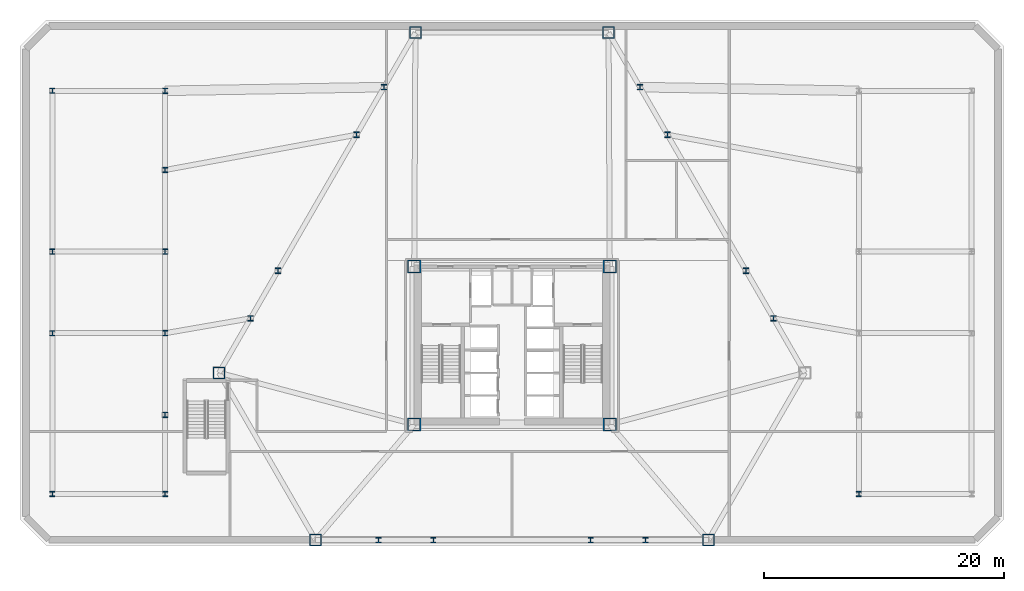
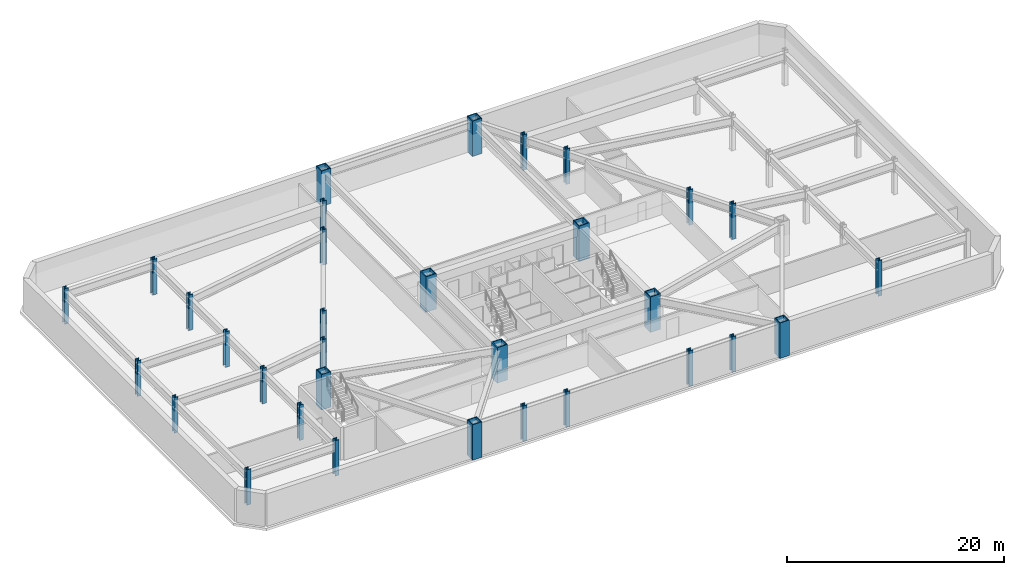
# One storey, part 1 of 10: 32 columns.
"""IFC4 building model written with IfcOpenShell, lengths in metres."""

import ifcopenshell
import ifcopenshell.guid

model = None  # the IFC model being written
_history = None  # IfcOwnerHistory: only IFC2X3 demands one
_inside = {}  # id of a spatial element -> (the spatial element, [elements in it])
_under = {}  # id of a project, library or spatial element -> (it, [spatial elements below it])
_declared = {}  # id of a project -> (the project, [libraries it declares])
_typed = {}  # id of a type object -> (the type object, [elements of that type])
_made_of = {}  # id of a material, layer set ... -> (it, [elements and type objects made of it])


def new_model(schema):
    """Start an empty IFC model of exactly this schema.

    Asked for "IFC4X3", IfcOpenShell would pick the latest addendum, in which some entities
    have other attributes; the version numbers below select the first issue.
    IFC2X3 requires an IfcOwnerHistory on every rooted entity: one is made here for all.
    """
    global model, _history
    if schema == "IFC4X3":
        model = ifcopenshell.file(schema_version=(4, 3, 0, 0))
    else:
        model = ifcopenshell.file(schema=schema)
    _inside.clear()
    _under.clear()
    _declared.clear()
    _typed.clear()
    _made_of.clear()
    _history = None
    if model.schema == "IFC2X3":
        org = make("IfcOrganization", Name="unknown")
        user = make(
            "IfcPersonAndOrganization",
            ThePerson=make("IfcPerson", FamilyName="unknown"),
            TheOrganization=org,
        )
        app = make(
            "IfcApplication",
            ApplicationDeveloper=org,
            Version="unknown",
            ApplicationFullName="unknown",
            ApplicationIdentifier="unknown",
        )
        _history = make(
            "IfcOwnerHistory",
            OwningUser=user,
            OwningApplication=app,
            ChangeAction="ADDED",
            CreationDate=0,
        )
    return model


def make(cls, **values):
    """One entity of the class cls with the attributes given. An attribute that is None is left unset."""
    return model.create_entity(
        cls, **{name: value for name, value in values.items() if value is not None}
    )


def rooted(cls, **values):
    """An entity with a GlobalId (a new one), such as an element, a storey or a relation."""
    return make(cls, GlobalId=ifcopenshell.guid.new(), OwnerHistory=_history, **values)


def si_unit(unit_type, name, prefix=None):
    """IfcSIUnit, for example si_unit("LENGTHUNIT", "METRE", prefix="MILLI")."""
    return make("IfcSIUnit", UnitType=unit_type, Prefix=prefix, Name=name)


def assignment(units):
    """IfcUnitAssignment: the units of a project."""
    return None if units is None else make("IfcUnitAssignment", Units=units)


def point(xyz):
    """IfcCartesianPoint."""
    return None if xyz is None else make("IfcCartesianPoint", Coordinates=xyz)


def direction(xyz):
    """IfcDirection."""
    return None if xyz is None else make("IfcDirection", DirectionRatios=xyz)


def frame(location, z_axis=None, x_axis=None):
    """IfcAxis2Placement3D, a coordinate frame: its origin and axes. An axis left out is left unset."""
    return make(
        "IfcAxis2Placement3D",
        Location=point(location),
        Axis=direction(z_axis),
        RefDirection=direction(x_axis),
    )


def frame_2d(location, x_axis=None):
    """IfcAxis2Placement2D, a coordinate frame in the plane: its origin and x axis."""
    return make(
        "IfcAxis2Placement2D", Location=point(location), RefDirection=direction(x_axis)
    )


def origin():
    """The frame at (0, 0, 0) with its axes left unset."""
    return frame((0.0, 0.0, 0.0))


def origin_2d():
    """The frame at (0, 0) in the plane with its x axis left unset."""
    return frame_2d((0.0, 0.0))


def place(relative_to, where):
    """IfcLocalPlacement: puts the frame where relative to a parent placement (None: the world)."""
    return make(
        "IfcLocalPlacement", PlacementRelTo=relative_to, RelativePlacement=where
    )


def context(
    kind, dimensions, precision=None, world=None, true_north=None, identifier=None
):
    """IfcGeometricRepresentationContext, for example the 3D "Model" context."""
    return make(
        "IfcGeometricRepresentationContext",
        ContextIdentifier=identifier,
        ContextType=kind,
        CoordinateSpaceDimension=dimensions,
        Precision=precision,
        WorldCoordinateSystem=world,
        TrueNorth=true_north,
    )


def subcontext(parent, identifier, kind, view, scale=None):
    """IfcGeometricRepresentationSubContext, for example "Body" below "Model"."""
    return make(
        "IfcGeometricRepresentationSubContext",
        ContextIdentifier=identifier,
        ContextType=kind,
        ParentContext=parent,
        TargetScale=scale,
        TargetView=view,
    )


def project(units=None, contexts=None):
    """IfcProject with its units and contexts."""
    return rooted(
        "IfcProject",
        Name="project",
        RepresentationContexts=contexts,
        UnitsInContext=assignment(units),
    )


def spatial(cls, under=None, at=None, **own):
    """A site, building, storey or space (cls), placed at a placement, below another one or the project."""
    s = rooted(cls, ObjectPlacement=at, **own)
    if under is not None:
        _under.setdefault(under.id(), (under, []))[1].append(s)
    return s


def profile(cls, at=None, kind="AREA", **sizes):
    """A parametric profile (cls). Its sizes go by their IFC names, for example OverallWidth=200.0."""
    return make(cls, ProfileType=kind, Position=at, **sizes)


def hollow_rectangle(**sizes):
    """IfcRectangleHollowProfileDef."""
    return profile("IfcRectangleHollowProfileDef", **sizes)


def i_section(**sizes):
    """IfcIShapeProfileDef."""
    return profile("IfcIShapeProfileDef", **sizes)


def extrude(swept, where, along, depth):
    """IfcExtrudedAreaSolid: the profile swept, set in the frame where, extruded along a direction by depth."""
    return make(
        "IfcExtrudedAreaSolid",
        SweptArea=swept,
        Position=where,
        ExtrudedDirection=direction(along),
        Depth=depth,
    )


def shape(context_of_items, identifier, shape_type, items):
    """IfcShapeRepresentation: the items that make up one representation, for example the "Body"."""
    return make(
        "IfcShapeRepresentation",
        ContextOfItems=context_of_items,
        RepresentationIdentifier=identifier,
        RepresentationType=shape_type,
        Items=items,
    )


def material(Name=None, Category=None):
    """IfcMaterial."""
    return make("IfcMaterial", Name=Name, Category=Category)


def material_profile(
    of_material, cross_section, Name=None, Category=None, Priority=None
):
    """IfcMaterialProfile: a cross section and its material."""
    return make(
        "IfcMaterialProfile",
        Name=Name,
        Material=of_material,
        Profile=cross_section,
        Priority=Priority,
        Category=Category,
    )


def profile_set(profiles, Name=None, composite=None):
    """IfcMaterialProfileSet."""
    return make(
        "IfcMaterialProfileSet",
        Name=Name,
        MaterialProfiles=profiles,
        CompositeProfile=composite,
    )


def made_of(thing, what):
    """Note that an element or type object is made of a material, layer set ...; save() writes the relation."""
    if what is not None:
        _made_of.setdefault(what.id(), (what, []))[1].append(thing)
    return thing


def type_object(cls, material=None, **own):
    """A type object (cls), such as IfcWallType, which elements share."""
    return made_of(rooted(cls, **own), material)


def element(
    cls,
    number,
    at=None,
    inside=None,
    cuts=None,
    type_object=None,
    material=None,
    context=None,
    identifier="Body",
    shape_type=None,
    held_by="IfcProductDefinitionShape",
    body=None,
    shapes=None,
    **own,
):
    """One element of the class cls, such as IfcWall. Its Tag is "e" and its number.

    at: its placement. inside: the storey or other place that contains it. cuts: it is an
    opening in that element (IfcRelVoidsElement). A single representation is given by context,
    identifier, shape_type and body (its items); several are given by shapes. held_by: the class
    of the entity that holds the representations. save() writes the other relations.
    """
    e = rooted(cls, Tag="e%d" % number, ObjectPlacement=at, **own)
    if body is not None:
        shapes = [shape(context, identifier, shape_type, body)]
    if shapes is not None:
        e.Representation = make(held_by, Representations=shapes)
    if inside is not None:
        _inside.setdefault(inside.id(), (inside, []))[1].append(e)
    if cuts is not None:
        rooted(
            "IfcRelVoidsElement", RelatingBuildingElement=cuts, RelatedOpeningElement=e
        )
    if type_object is not None:
        _typed.setdefault(type_object.id(), (type_object, []))[1].append(e)
    return made_of(e, material)


def aggregate(whole, parts):
    """IfcRelAggregates: a whole, such as a stair, and the parts it consists of."""
    return rooted("IfcRelAggregates", RelatingObject=whole, RelatedObjects=parts)


def save(model, path):
    """Write the relations noted so far, then the file.

    IfcRelAggregates (storeys below a building ...), IfcRelContainedInSpatialStructure (elements
    in a storey), IfcRelDefinesByType, IfcRelAssociatesMaterial and IfcRelDeclares: one each for
    every whole, place, type object, material and project.
    """
    for whole, parts in _under.values():
        aggregate(whole, parts)
    for where, things in _inside.values():
        rooted(
            "IfcRelContainedInSpatialStructure",
            RelatedElements=things,
            RelatingStructure=where,
        )
    for kind, things in _typed.values():
        rooted("IfcRelDefinesByType", RelatedObjects=things, RelatingType=kind)
    for what, things in _made_of.values():
        rooted("IfcRelAssociatesMaterial", RelatedObjects=things, RelatingMaterial=what)
    for by, libraries in _declared.values():
        rooted("IfcRelDeclares", RelatingContext=by, RelatedDefinitions=libraries)
    model.write(path)


model = new_model("IFC4")

# Units and contexts
model_context = context("Model", 3, precision=1e-05, world=origin(), true_north=direction((0.0, 1.0)))
body_context = subcontext(model_context, "Body", "Model", "MODEL_VIEW")
ifc_project = project(units=[si_unit("LENGTHUNIT", "METRE"), si_unit("AREAUNIT", "SQUARE_METRE"), si_unit("VOLUMEUNIT", "CUBIC_METRE"), si_unit("PLANEANGLEUNIT", "RADIAN"), si_unit("MASSUNIT", "GRAM", prefix="KILO")], contexts=[model_context])

# Site, building, storey
site_placement = place(None, origin())
site = spatial("IfcSite", under=ifc_project, at=site_placement, CompositionType="ELEMENT")
building_placement = place(site_placement, origin())
building = spatial("IfcBuilding", under=site, at=building_placement, Name="Oramaril Tower", CompositionType="ELEMENT")
storey_placement = place(building_placement, frame((0.0, 0.0, -4.0)))
storey = spatial("IfcBuildingStorey", under=building, at=storey_placement, Name="B01", CompositionType="ELEMENT", Elevation=-4.0)

# Columns
ifc_material_1 = material(Name="Steel ASTM A572 Gr 50", Category="steel")
ifc_material_profile_1 = material_profile(ifc_material_1, hollow_rectangle(XDim=1.10009765625, YDim=1.10009765625, WallThickness=0.090087890625, at=origin_2d()), Name="BOX1100X1100X90")
ifc_profile_set_1 = profile_set([ifc_material_profile_1], Name="Steel ASTM A572 Gr 50")
column_type_1 = type_object("IfcColumnType", Name="CT-CC1", PredefinedType="COLUMN", material=ifc_profile_set_1)
for number, where, z_axis, x_axis, name in (
    (1, (29.35009765625, 11.0, 0.0), (0.0, 0.0, 1.0), (1.0, 0.0, 0.0), "B01 Core Column CC-1"),
    (2, (45.64990234375, 11.0, 0.0), (0.0, 0.0, 1.0), (1.0, 0.0, 0.0), "B01 Core Column CC-2"),
    (3, (45.64990234375, 24.14990234375, 0.0), (0.0, 0.0, 1.0), (1.0, 0.0, 0.0), "B01 Core Column CC-3"),
    (4, (29.35009765625, 24.14990234375, 0.0), (0.0, 0.0, 1.0), (1.0, 0.0, 0.0), "B01 Core Column CC-4"),
):
    element("IfcColumn", number, at=place(storey_placement, frame(where, z_axis=z_axis, x_axis=x_axis)), inside=storey, type_object=column_type_1, Name=name, PredefinedType="COLUMN", context=body_context, shape_type="SweptSolid", body=[
        extrude(hollow_rectangle(XDim=1.10009765625, YDim=1.10009765625, WallThickness=0.090087890625, at=origin_2d()), origin(), (0.0, 0.0, 1.0), 4.0),
    ])
ifc_material_2 = material(Name="Steel ASTM A572 Gr 50", Category="steel")
ifc_material_profile_2 = material_profile(ifc_material_2, hollow_rectangle(XDim=1.0, YDim=1.0, WallThickness=0.0849609375, at=origin_2d()), Name="BOX1000X1000X85")
ifc_profile_set_2 = profile_set([ifc_material_profile_2], Name="Steel ASTM A572 Gr 50")
column_type_2 = type_object("IfcColumnType", Name="CT-TC1", PredefinedType="COLUMN", material=ifc_profile_set_2)
for number, where, z_axis, x_axis, name in (
    (5, (13.089599609375, 15.300048828125, 0.00439453125), (0.0, 0.0, 1.0), (1.0, 0.0, 0.0), "B01 Tube Column TC-01"),
    (6, (21.137939453125, 1.360107421875, 0.00439453125), (0.0, 0.0, 1.0), (1.0, 0.0, 0.0), "B01 Tube Column TC-02"),
    (7, (53.862060546875, 1.360107421875, 0.00439453125), (0.0, 0.0, 1.0), (1.0, 0.0, 0.0), "B01 Tube Column TC-03"),
    (8, (45.548095703125, 43.639892578125, 0.00439453125), (0.0, 0.0, 1.0), (1.0, 0.0, 0.0), "B01 Tube Column TC-05"),
    (9, (29.451904296875, 43.639892578125, 0.00439453125), (0.0, 0.0, 1.0), (1.0, 0.0, 0.0), "B01 Tube Column TC-06"),
):
    element("IfcColumn", number, at=place(storey_placement, frame(where, z_axis=z_axis, x_axis=x_axis)), inside=storey, type_object=column_type_2, Name=name, PredefinedType="COLUMN", context=body_context, shape_type="SweptSolid", body=[
        extrude(hollow_rectangle(XDim=1.0, YDim=1.0, WallThickness=0.0849609375, at=origin_2d()), origin(), (0.0, 0.0, 1.0), 3.9912109375),
    ])
ifc_material_3 = material(Name="Steel ASTM A572 Gr 50", Category="steel")
ifc_material_profile_3 = material_profile(ifc_material_3, i_section(OverallWidth=0.422119140625, OverallDepth=0.465087890625, WebThickness=0.044921875, FlangeThickness=0.072021484375, at=origin_2d()), Name="W14X398")
ifc_profile_set_3 = profile_set([ifc_material_profile_3], Name="Steel ASTM A572 Gr 50")
column_type_3 = type_object("IfcColumnType", Name="CT-TF1", PredefinedType="COLUMN", material=ifc_profile_set_3)
for number, where, z_axis, x_axis, name in (
    (10, (26.373779296875, 1.360107421875, 0.00439453125), (0.0, 0.0, 1.0), (1.0, 0.0, 0.0), "B01 Tube Column TC-07"),
    (11, (30.955078125, 1.360107421875, 0.00439453125), (0.0, 0.0, 1.0), (1.0, 0.0, 0.0), "B01 Tube Column TC-08"),
    (12, (44.044921875, 1.360107421875, 0.00439453125), (0.0, 0.0, 1.0), (1.0, 0.0, 0.0), "B01 Tube Column TC-09"),
    (13, (48.626220703125, 1.360107421875, 0.00439453125), (0.0, 0.0, 1.0), (1.0, 0.0, 0.0), "B01 Tube Column TC-10"),
    (14, (59.29248046875, 19.83447265625, 0.00439453125), (0.0, 0.0, 1.0), (1.0, 0.0, 0.0), "B01 Tube Column TC-11"),
    (15, (57.001708984375, 23.802001953125, 0.00439453125), (0.0, 0.0, 1.0), (1.0, 0.0, 0.0), "B01 Tube Column TC-12"),
    (16, (50.456787109375, 35.137939453125, 0.00439453125), (0.0, 0.0, 1.0), (1.0, 0.0, 0.0), "B01 Tube Column TC-13"),
    (17, (48.166015625, 39.105712890625, 0.00439453125), (0.0, 0.0, 1.0), (1.0, 0.0, 0.0), "B01 Tube Column TC-14"),
    (18, (26.833984375, 39.105712890625, 0.00439453125), (0.0, 0.0, 1.0), (1.0, 0.0, 0.0), "B01 Tube Column TC-15"),
    (19, (24.543212890625, 35.137939453125, 0.00439453125), (0.0, 0.0, 1.0), (1.0, 0.0, 0.0), "B01 Tube Column TC-16"),
    (20, (17.998291015625, 23.802001953125, 0.00439453125), (0.0, 0.0, 1.0), (1.0, 0.0, 0.0), "B01 Tube Column TC-17"),
    (21, (15.70751953125, 19.83447265625, 0.00439453125), (0.0, 0.0, 1.0), (1.0, 0.0, 0.0), "B01 Tube Column TC-18"),
):
    element("IfcColumn", number, at=place(storey_placement, frame(where, z_axis=z_axis, x_axis=x_axis)), inside=storey, type_object=column_type_3, Name=name, PredefinedType="COLUMN", context=body_context, shape_type="SweptSolid", body=[
        extrude(i_section(OverallWidth=0.422119140625, OverallDepth=0.465087890625, WebThickness=0.044921875, FlangeThickness=0.072021484375, at=origin_2d()), origin(), (0.0, 0.0, 1.0), 3.9912109375),
    ])
for number, where, z_axis, x_axis, name in (
    (22, (8.60009765625, 5.199951171875, 0.0), (0.0, 0.0, 1.0), (1.0, 0.0, 0.0), "B01 Podium Column PCOL-01"),
    (23, (8.60009765625, 11.800048828125, 0.0), (0.0, 0.0, 1.0), (1.0, 0.0, 0.0), "B01 Podium Column PCOL-02"),
    (24, (8.60009765625, 18.60009765625, 0.0), (0.0, 0.0, 1.0), (1.0, 0.0, 0.0), "B01 Podium Column PCOL-03"),
    (25, (8.60009765625, 25.39990234375, 0.0), (0.0, 0.0, 1.0), (1.0, 0.0, 0.0), "B01 Podium Column PCOL-04"),
    (26, (8.60009765625, 32.199951171875, 0.0), (0.0, 0.0, 1.0), (1.0, 0.0, 0.0), "B01 Podium Column PCOL-05"),
    (27, (8.60009765625, 38.800048828125, 0.0), (0.0, 0.0, 1.0), (1.0, 0.0, 0.0), "B01 Podium Column PCOL-06"),
    (28, (66.39990234375, 5.199951171875, 0.0), (0.0, 0.0, 1.0), (1.0, 0.0, 0.0), "B01 Podium Column PCOL-07"),
):
    element("IfcColumn", number, at=place(storey_placement, frame(where, z_axis=z_axis, x_axis=x_axis)), inside=storey, type_object=column_type_3, Name=name, PredefinedType="COLUMN", context=body_context, shape_type="SweptSolid", body=[
        extrude(i_section(OverallWidth=0.422119140625, OverallDepth=0.465087890625, WebThickness=0.044921875, FlangeThickness=0.072021484375, at=origin_2d()), origin(), (0.0, 0.0, 1.0), 4.0),
    ])
ifc_material_4 = material(Name="Steel ASTM A572 Gr 50", Category="steel")
ifc_material_profile_4 = material_profile(ifc_material_4, i_section(OverallWidth=0.410888671875, OverallDepth=0.43408203125, WebThickness=0.035888671875, FlangeThickness=0.057373046875, at=origin_2d()), Name="W14X311")
ifc_profile_set_4 = profile_set([ifc_material_profile_4], Name="Steel ASTM A572 Gr 50")
column_type_4 = type_object("IfcColumnType", Name="CT-TF2", PredefinedType="COLUMN", material=ifc_profile_set_4)
for number, where, z_axis, x_axis, name in (
    (29, (-0.800048828125, 5.199951171875, 0.0), (0.0, 0.0, 1.0), (1.0, 0.0, 0.0), "B01 Lower Podium Wing Column WCOL-01"),
    (30, (-0.800048828125, 18.60009765625, 0.0), (0.0, 0.0, 1.0), (1.0, 0.0, 0.0), "B01 Lower Podium Wing Column WCOL-02"),
    (31, (-0.800048828125, 25.39990234375, 0.0), (0.0, 0.0, 1.0), (1.0, 0.0, 0.0), "B01 Lower Podium Wing Column WCOL-03"),
    (32, (-0.800048828125, 38.800048828125, 0.0), (0.0, 0.0, 1.0), (1.0, 0.0, 0.0), "B01 Lower Podium Wing Column WCOL-04"),
):
    element("IfcColumn", number, at=place(storey_placement, frame(where, z_axis=z_axis, x_axis=x_axis)), inside=storey, type_object=column_type_4, Name=name, PredefinedType="COLUMN", context=body_context, shape_type="SweptSolid", body=[
        extrude(i_section(OverallWidth=0.410888671875, OverallDepth=0.43408203125, WebThickness=0.035888671875, FlangeThickness=0.057373046875, at=origin_2d()), origin(), (0.0, 0.0, 1.0), 4.0),
    ])

save(model, "model.ifc")
